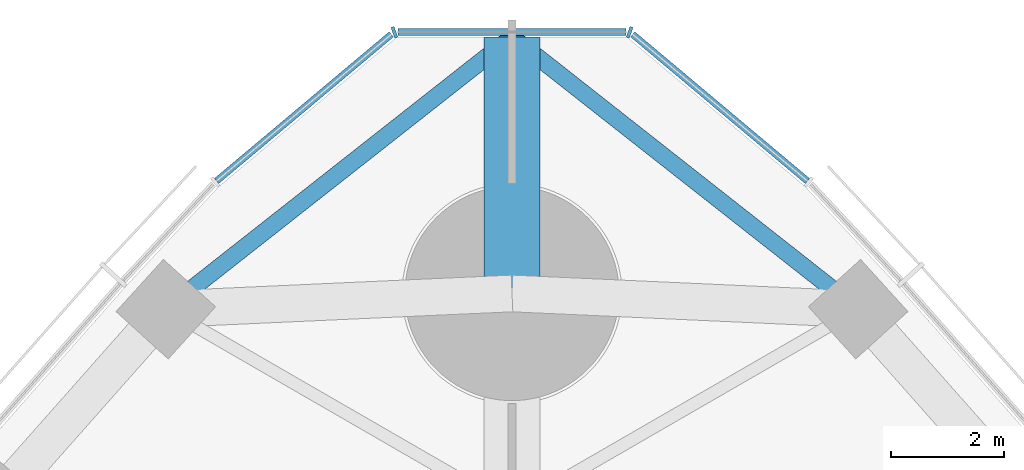
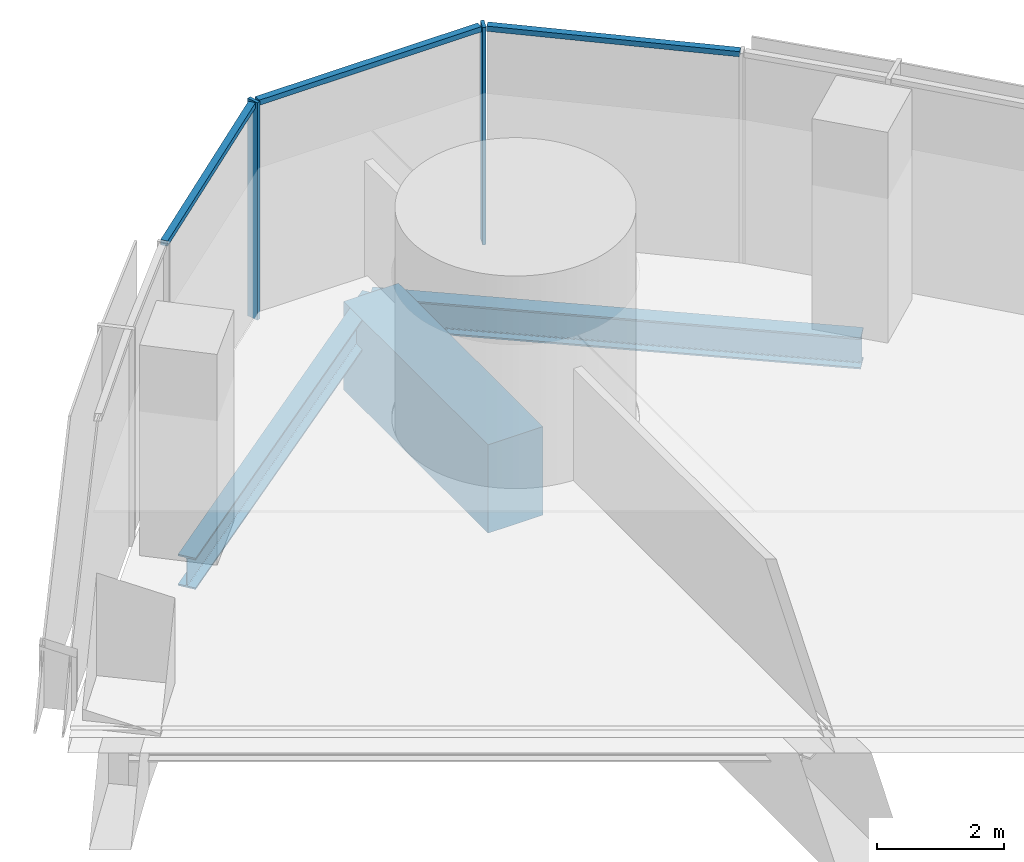
# One storey, part 9 of 19: 5 members, 3 beams, 1 element without a shape of its own.
"""IFC4 building model written with IfcOpenShell, lengths in metres."""

import ifcopenshell
import ifcopenshell.guid

model = None  # the IFC model being written
_history = None  # IfcOwnerHistory: only IFC2X3 demands one
_inside = {}  # id of a spatial element -> (the spatial element, [elements in it])
_under = {}  # id of a project, library or spatial element -> (it, [spatial elements below it])
_declared = {}  # id of a project -> (the project, [libraries it declares])
_typed = {}  # id of a type object -> (the type object, [elements of that type])
_made_of = {}  # id of a material, layer set ... -> (it, [elements and type objects made of it])


def new_model(schema):
    """Start an empty IFC model of exactly this schema.

    Asked for "IFC4X3", IfcOpenShell would pick the latest addendum, in which some entities
    have other attributes; the version numbers below select the first issue.
    IFC2X3 requires an IfcOwnerHistory on every rooted entity: one is made here for all.
    """
    global model, _history
    if schema == "IFC4X3":
        model = ifcopenshell.file(schema_version=(4, 3, 0, 0))
    else:
        model = ifcopenshell.file(schema=schema)
    _inside.clear()
    _under.clear()
    _declared.clear()
    _typed.clear()
    _made_of.clear()
    _history = None
    if model.schema == "IFC2X3":
        org = make("IfcOrganization", Name="unknown")
        user = make(
            "IfcPersonAndOrganization",
            ThePerson=make("IfcPerson", FamilyName="unknown"),
            TheOrganization=org,
        )
        app = make(
            "IfcApplication",
            ApplicationDeveloper=org,
            Version="unknown",
            ApplicationFullName="unknown",
            ApplicationIdentifier="unknown",
        )
        _history = make(
            "IfcOwnerHistory",
            OwningUser=user,
            OwningApplication=app,
            ChangeAction="ADDED",
            CreationDate=0,
        )
    return model


def make(cls, **values):
    """One entity of the class cls with the attributes given. An attribute that is None is left unset."""
    return model.create_entity(
        cls, **{name: value for name, value in values.items() if value is not None}
    )


def rooted(cls, **values):
    """An entity with a GlobalId (a new one), such as an element, a storey or a relation."""
    return make(cls, GlobalId=ifcopenshell.guid.new(), OwnerHistory=_history, **values)


def si_unit(unit_type, name, prefix=None):
    """IfcSIUnit, for example si_unit("LENGTHUNIT", "METRE", prefix="MILLI")."""
    return make("IfcSIUnit", UnitType=unit_type, Prefix=prefix, Name=name)


def assignment(units):
    """IfcUnitAssignment: the units of a project."""
    return None if units is None else make("IfcUnitAssignment", Units=units)


def point(xyz):
    """IfcCartesianPoint."""
    return None if xyz is None else make("IfcCartesianPoint", Coordinates=xyz)


def direction(xyz):
    """IfcDirection."""
    return None if xyz is None else make("IfcDirection", DirectionRatios=xyz)


def frame(location, z_axis=None, x_axis=None):
    """IfcAxis2Placement3D, a coordinate frame: its origin and axes. An axis left out is left unset."""
    return make(
        "IfcAxis2Placement3D",
        Location=point(location),
        Axis=direction(z_axis),
        RefDirection=direction(x_axis),
    )


def frame_2d(location, x_axis=None):
    """IfcAxis2Placement2D, a coordinate frame in the plane: its origin and x axis."""
    return make(
        "IfcAxis2Placement2D", Location=point(location), RefDirection=direction(x_axis)
    )


def origin():
    """The frame at (0, 0, 0) with its axes left unset."""
    return frame((0.0, 0.0, 0.0))


def origin_2d():
    """The frame at (0, 0) in the plane with its x axis left unset."""
    return frame_2d((0.0, 0.0))


def place(relative_to, where):
    """IfcLocalPlacement: puts the frame where relative to a parent placement (None: the world)."""
    return make(
        "IfcLocalPlacement", PlacementRelTo=relative_to, RelativePlacement=where
    )


def context(
    kind, dimensions, precision=None, world=None, true_north=None, identifier=None
):
    """IfcGeometricRepresentationContext, for example the 3D "Model" context."""
    return make(
        "IfcGeometricRepresentationContext",
        ContextIdentifier=identifier,
        ContextType=kind,
        CoordinateSpaceDimension=dimensions,
        Precision=precision,
        WorldCoordinateSystem=world,
        TrueNorth=true_north,
    )


def subcontext(parent, identifier, kind, view, scale=None):
    """IfcGeometricRepresentationSubContext, for example "Body" below "Model"."""
    return make(
        "IfcGeometricRepresentationSubContext",
        ContextIdentifier=identifier,
        ContextType=kind,
        ParentContext=parent,
        TargetScale=scale,
        TargetView=view,
    )


def project(units=None, contexts=None):
    """IfcProject with its units and contexts."""
    return rooted(
        "IfcProject",
        Name="project",
        RepresentationContexts=contexts,
        UnitsInContext=assignment(units),
    )


def spatial(cls, under=None, at=None, **own):
    """A site, building, storey or space (cls), placed at a placement, below another one or the project."""
    s = rooted(cls, ObjectPlacement=at, **own)
    if under is not None:
        _under.setdefault(under.id(), (under, []))[1].append(s)
    return s


def profile(cls, at=None, kind="AREA", **sizes):
    """A parametric profile (cls). Its sizes go by their IFC names, for example OverallWidth=200.0."""
    return make(cls, ProfileType=kind, Position=at, **sizes)


def rectangle(**sizes):
    """IfcRectangleProfileDef."""
    return profile("IfcRectangleProfileDef", **sizes)


def i_section(**sizes):
    """IfcIShapeProfileDef."""
    return profile("IfcIShapeProfileDef", **sizes)


def extrude(swept, where, along, depth):
    """IfcExtrudedAreaSolid: the profile swept, set in the frame where, extruded along a direction by depth."""
    return make(
        "IfcExtrudedAreaSolid",
        SweptArea=swept,
        Position=where,
        ExtrudedDirection=direction(along),
        Depth=depth,
    )


def shape(context_of_items, identifier, shape_type, items):
    """IfcShapeRepresentation: the items that make up one representation, for example the "Body"."""
    return make(
        "IfcShapeRepresentation",
        ContextOfItems=context_of_items,
        RepresentationIdentifier=identifier,
        RepresentationType=shape_type,
        Items=items,
    )


def material(Name=None, Category=None):
    """IfcMaterial."""
    return make("IfcMaterial", Name=Name, Category=Category)


def material_profile(
    of_material, cross_section, Name=None, Category=None, Priority=None
):
    """IfcMaterialProfile: a cross section and its material."""
    return make(
        "IfcMaterialProfile",
        Name=Name,
        Material=of_material,
        Profile=cross_section,
        Priority=Priority,
        Category=Category,
    )


def profile_set(profiles, Name=None, composite=None):
    """IfcMaterialProfileSet."""
    return make(
        "IfcMaterialProfileSet",
        Name=Name,
        MaterialProfiles=profiles,
        CompositeProfile=composite,
    )


def made_of(thing, what):
    """Note that an element or type object is made of a material, layer set ...; save() writes the relation."""
    if what is not None:
        _made_of.setdefault(what.id(), (what, []))[1].append(thing)
    return thing


def type_object(cls, material=None, **own):
    """A type object (cls), such as IfcWallType, which elements share."""
    return made_of(rooted(cls, **own), material)


def element(
    cls,
    number,
    at=None,
    inside=None,
    cuts=None,
    type_object=None,
    material=None,
    context=None,
    identifier="Body",
    shape_type=None,
    held_by="IfcProductDefinitionShape",
    body=None,
    shapes=None,
    **own,
):
    """One element of the class cls, such as IfcWall. Its Tag is "e" and its number.

    at: its placement. inside: the storey or other place that contains it. cuts: it is an
    opening in that element (IfcRelVoidsElement). A single representation is given by context,
    identifier, shape_type and body (its items); several are given by shapes. held_by: the class
    of the entity that holds the representations. save() writes the other relations.
    """
    e = rooted(cls, Tag="e%d" % number, ObjectPlacement=at, **own)
    if body is not None:
        shapes = [shape(context, identifier, shape_type, body)]
    if shapes is not None:
        e.Representation = make(held_by, Representations=shapes)
    if inside is not None:
        _inside.setdefault(inside.id(), (inside, []))[1].append(e)
    if cuts is not None:
        rooted(
            "IfcRelVoidsElement", RelatingBuildingElement=cuts, RelatedOpeningElement=e
        )
    if type_object is not None:
        _typed.setdefault(type_object.id(), (type_object, []))[1].append(e)
    return made_of(e, material)


def aggregate(whole, parts):
    """IfcRelAggregates: a whole, such as a stair, and the parts it consists of."""
    return rooted("IfcRelAggregates", RelatingObject=whole, RelatedObjects=parts)


def save(model, path):
    """Write the relations noted so far, then the file.

    IfcRelAggregates (storeys below a building ...), IfcRelContainedInSpatialStructure (elements
    in a storey), IfcRelDefinesByType, IfcRelAssociatesMaterial and IfcRelDeclares: one each for
    every whole, place, type object, material and project.
    """
    for whole, parts in _under.values():
        aggregate(whole, parts)
    for where, things in _inside.values():
        rooted(
            "IfcRelContainedInSpatialStructure",
            RelatedElements=things,
            RelatingStructure=where,
        )
    for kind, things in _typed.values():
        rooted("IfcRelDefinesByType", RelatedObjects=things, RelatingType=kind)
    for what, things in _made_of.values():
        rooted("IfcRelAssociatesMaterial", RelatedObjects=things, RelatingMaterial=what)
    for by, libraries in _declared.values():
        rooted("IfcRelDeclares", RelatingContext=by, RelatedDefinitions=libraries)
    model.write(path)


model = new_model("IFC4")

# Units and contexts
model_context = context("Model", 3, precision=1e-05, world=origin(), true_north=direction((0.0, 1.0)))
body_context = subcontext(model_context, "Body", "Model", "MODEL_VIEW")
ifc_project = project(units=[si_unit("LENGTHUNIT", "METRE"), si_unit("AREAUNIT", "SQUARE_METRE"), si_unit("VOLUMEUNIT", "CUBIC_METRE"), si_unit("PLANEANGLEUNIT", "RADIAN"), si_unit("MASSUNIT", "GRAM", prefix="KILO")], contexts=[model_context])

# Site, building, storey
site_placement = place(None, origin())
site = spatial("IfcSite", under=ifc_project, at=site_placement, CompositionType="ELEMENT")
building_placement = place(site_placement, origin())
building = spatial("IfcBuilding", under=site, at=building_placement, Name="Trefoil Bronze Tower", CompositionType="ELEMENT")
storey_placement = place(building_placement, frame((0.0, 0.0, 140.89990234375)))
storey = spatial("IfcBuildingStorey", under=building, at=storey_placement, Name="L32", CompositionType="ELEMENT", Elevation=140.89990234375)

# Curtain wall, members
ifc_material_1 = material(Name="Tinted solar-control glass", Category="glass")
curtain_wall_type = type_object("IfcCurtainWallType", Name="Bronze rounded corner curtain wall", PredefinedType="USERDEFINED", material=ifc_material_1)
curtain_wall_placement = place(storey_placement, origin())
curtain_wall = element("IfcCurtainWall", 1, at=curtain_wall_placement, inside=storey, type_object=curtain_wall_type, Name="CW-B L32 K2", ObjectType="CURTAIN WALL", PredefinedType="USERDEFINED")
ifc_material_2 = material(Name="Bronze-finish aluminium", Category="aluminium")
ifc_material_profile_1 = material_profile(ifc_material_2, rectangle(XDim=0.199951171875, YDim=0.06005859375, at=origin_2d()), Name="CW-B mullion")
ifc_profile_set_1 = profile_set([ifc_material_profile_1], Name="Bronze-finish aluminium")
member_type_1 = type_object("IfcMemberType", Name="Bronze rounded corner curtain wall mullion", PredefinedType="MULLION", material=ifc_profile_set_1)
member_1_placement = place(storey_placement, frame((2.08642578125, 39.631591796875, 0.0), z_axis=(0.0, 0.0, 1.0), x_axis=(-0.342020143326, -0.939692620786, 0.0)))
member_1 = element("IfcMember", 2, at=member_1_placement, type_object=member_type_1, Name="CW-B L32 K2 mullion 2", PredefinedType="MULLION", context=body_context, shape_type="SweptSolid", body=[
    extrude(rectangle(XDim=0.199951171875, YDim=0.06005859375, at=origin_2d()), origin(), (0.0, 0.0, 1.0), 4.18017578125),
])
member_2_placement = place(storey_placement, frame((-2.08642578125, 39.631591796875, 0.0), z_axis=(0.0, 0.0, 1.0), x_axis=(0.342020143326, -0.939692620786, 0.0)))
member_2 = element("IfcMember", 3, at=member_2_placement, type_object=member_type_1, Name="CW-B L32 K2 mullion 3", PredefinedType="MULLION", context=body_context, shape_type="SweptSolid", body=[
    extrude(rectangle(XDim=0.199951171875, YDim=0.06005859375, at=origin_2d()), origin(), (0.0, 0.0, 1.0), 4.18017578125),
])
ifc_material_3 = material(Name="Bronze-finish aluminium", Category="aluminium")
ifc_material_profile_2 = material_profile(ifc_material_3, rectangle(XDim=0.1201171875, YDim=0.10009765625, at=origin_2d()), Name="CW-B transom")
ifc_profile_set_2 = profile_set([ifc_material_profile_2], Name="Bronze-finish aluminium")
member_type_2 = type_object("IfcMemberType", Name="Bronze rounded corner curtain wall transom", PredefinedType="USERDEFINED", material=ifc_profile_set_2)
member_3_placement = place(storey_placement, frame((5.237548828125, 36.9951171875, 4.130126953125), z_axis=(-0.766049624684, 0.642781434487, 0.0), x_axis=(-0.642781434487, -0.766049624684, 0.0)))
member_3 = element("IfcMember", 4, at=member_3_placement, type_object=member_type_2, Name="CW-B L32 K2 transom 1", ObjectType="TRANSOM", PredefinedType="USERDEFINED", context=body_context, shape_type="SweptSolid", body=[
    extrude(rectangle(XDim=0.1201171875, YDim=0.10009765625, at=origin_2d()), origin(), (0.0, 0.0, 1.0), 4.04443359375),
])
member_4_placement = place(storey_placement, frame((2.022216796875, 39.637451171875, 4.130126953125), z_axis=(-1.0, 0.0, 0.0), x_axis=(0.0, -1.0, 0.0)))
member_4 = element("IfcMember", 5, at=member_4_placement, type_object=member_type_2, Name="CW-B L32 K2 transom 2", ObjectType="TRANSOM", PredefinedType="USERDEFINED", context=body_context, shape_type="SweptSolid", body=[
    extrude(rectangle(XDim=0.1201171875, YDim=0.10009765625, at=origin_2d()), origin(), (0.0, 0.0, 1.0), 4.04443359375),
])
member_5_placement = place(storey_placement, frame((-2.139404296875, 39.5947265625, 4.130126953125), z_axis=(-0.766049624684, -0.642781434487, 0.0), x_axis=(0.642781434487, -0.766049624684, 0.0)))
member_5 = element("IfcMember", 6, at=member_5_placement, type_object=member_type_2, Name="CW-B L32 K2 transom 3", ObjectType="TRANSOM", PredefinedType="USERDEFINED", context=body_context, shape_type="SweptSolid", body=[
    extrude(rectangle(XDim=0.1201171875, YDim=0.10009765625, at=origin_2d()), origin(), (0.0, 0.0, 1.0), 4.04443359375),
])
aggregate(curtain_wall, [member_1, member_2, member_3, member_4, member_5])

# Beams
ifc_material_4 = material(Name="Concrete B80", Category="concrete")
ifc_material_profile_3 = material_profile(ifc_material_4, rectangle(XDim=1.0, YDim=1.699951171875, at=origin_2d()), Name="RC 1000x1700")
ifc_profile_set_3 = profile_set([ifc_material_profile_3], Name="Concrete B80")
beam_type_1 = type_object("IfcBeamType", Name="Corner cantilever RC 1000x1700", PredefinedType="BEAM", material=ifc_profile_set_3)
beam_placement = place(storey_placement, frame((0.0, 35.0, -1.0498046875), z_axis=(0.0, 1.0, 0.0), x_axis=(-1.0, 0.0, 0.0)))
element("IfcBeam", 7, at=beam_placement, inside=storey, type_object=beam_type_1, Name="Corner cantilever K2 L32", PredefinedType="BEAM", context=body_context, shape_type="SweptSolid", body=[
    extrude(rectangle(XDim=1.0, YDim=1.699951171875, at=origin_2d()), origin(), (0.0, 0.0, 1.0), 4.54931640625),
])
ifc_material_5 = material(Name="Steel C355", Category="steel")
ifc_material_profile_4 = material_profile(ifc_material_5, i_section(OverallWidth=0.300048828125, OverallDepth=0.60009765625, WebThickness=0.015380859375, FlangeThickness=0.030029296875, FilletRadius=0.027099609375, at=origin_2d()), Name="HEB 600")
ifc_profile_set_4 = profile_set([ifc_material_profile_4], Name="Steel C355")
beam_type_2 = type_object("IfcBeamType", Name="Corner edge beam HEB 600", PredefinedType="BEAM", material=ifc_profile_set_4)
for number, where, z_axis, x_axis, name in (
    (8, (6.13916015625, 34.72119140625, -0.5), (-0.786038406433, 0.61817766347, 0.0), (-0.61817766347, -0.786038406433, 0.0), "Corner edge beam F2A L32"),
    (9, (-6.13916015625, 34.72119140625, -0.5), (0.786038406433, 0.61817766347, 0.0), (-0.61817766347, 0.786038406433, 0.0), "Corner edge beam F3B L32"),
):
    element("IfcBeam", number, at=place(storey_placement, frame(where, z_axis=z_axis, x_axis=x_axis)), inside=storey, type_object=beam_type_2, Name=name, PredefinedType="BEAM", context=body_context, shape_type="SweptSolid", body=[
        extrude(i_section(OverallWidth=0.300048828125, OverallDepth=0.60009765625, WebThickness=0.015380859375, FlangeThickness=0.030029296875, FilletRadius=0.027099609375, at=origin_2d()), origin(), (0.0, 0.0, 1.0), 7.810302734375),
    ])

save(model, "model.ifc")
